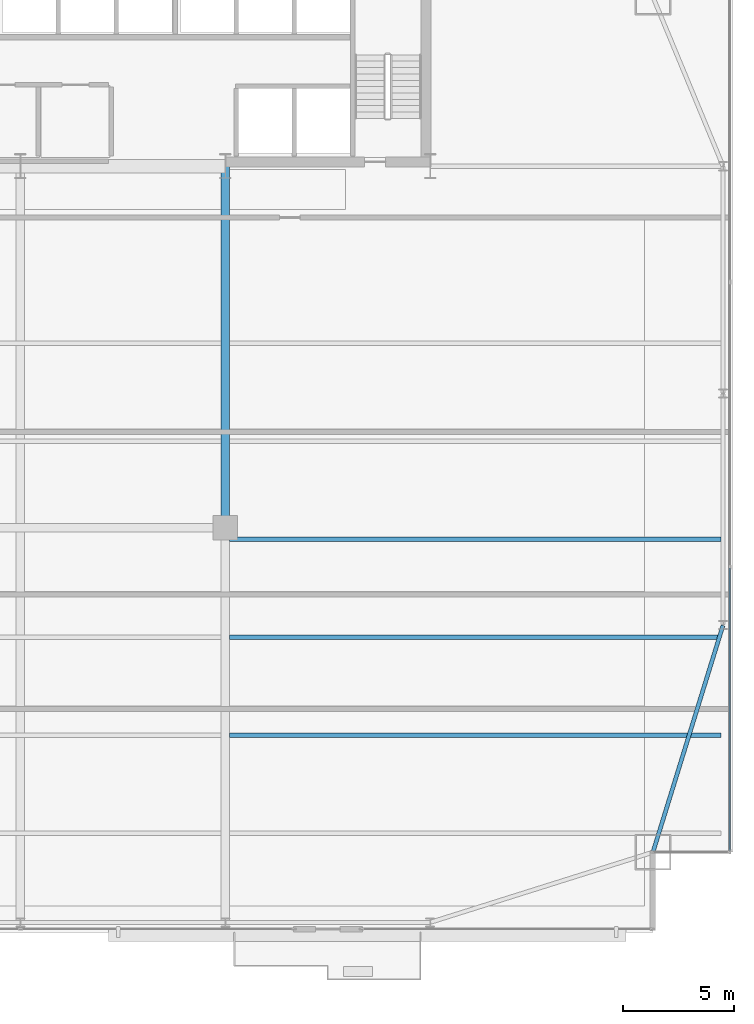
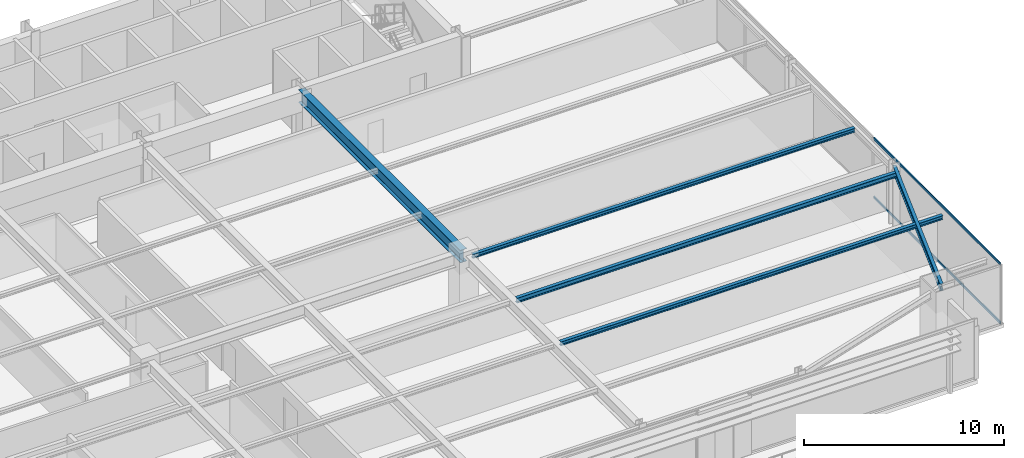
# One storey, part 15 of 29: 5 beams, 2 members, 1 element without a shape of its own.
"""IFC4 building model written with IfcOpenShell, lengths in metres."""

from ifc_helpers import new_model, si_unit, direction, frame, origin, origin_2d, place, context, subcontext, project, spatial, hollow_rectangle, i_section, extrude, source, transform, mapped, material, layer, layer_set, material_profile, profile_set, type_object, type_shapes, element, aggregate, save


model = new_model("IFC4")

# Units and contexts
model_context = context("Model", 3, precision=1e-05, world=origin(), true_north=direction((0.0, 1.0)))
body_context = subcontext(model_context, "Body", "Model", "MODEL_VIEW")
ifc_project = project(units=[si_unit("LENGTHUNIT", "METRE"), si_unit("AREAUNIT", "SQUARE_METRE"), si_unit("VOLUMEUNIT", "CUBIC_METRE"), si_unit("PLANEANGLEUNIT", "RADIAN"), si_unit("MASSUNIT", "GRAM", prefix="KILO")], contexts=[model_context])

# Site, building, storey
site_placement = place(None, origin())
site = spatial("IfcSite", under=ifc_project, at=site_placement, CompositionType="ELEMENT")
building_placement = place(site_placement, origin())
building = spatial("IfcBuilding", under=site, at=building_placement, Name="Varnel Quay Broadcast Tower", CompositionType="ELEMENT")
storey_placement = place(building_placement, frame((0.0, 0.0, 74.39990234375)))
storey = spatial("IfcBuildingStorey", under=building, at=storey_placement, Name="L17", CompositionType="ELEMENT", Elevation=74.39990234375)

# Beams
ifc_material_1 = material(Name="Structural Steel CSA G40.21 350W", Category="steel")
ifc_material_profile_1 = material_profile(ifc_material_1, i_section(OverallWidth=0.180908203125, OverallDepth=0.4169921875, WebThickness=0.010986328125, FlangeThickness=0.018310546875, FilletRadius=0.011962890625, at=origin_2d()), Name="W410X85")
ifc_profile_set_1 = profile_set([ifc_material_profile_1], Name="Structural Steel CSA G40.21 350W")
beam_type_1 = type_object("IfcBeamType", Name="Beam_W410X85", PredefinedType="SPANDREL", material=ifc_profile_set_1)
shared_shape_1 = source(origin(), body_context, "Body", "SweptSolid", [
    extrude(i_section(OverallWidth=0.180908203125, OverallDepth=0.4169921875, WebThickness=0.010986328125, FlangeThickness=0.018310546875, FilletRadius=0.011962890625, at=origin_2d()), origin(), (0.0, 0.0, 1.0), 10.635498046875),
])
type_shapes(beam_type_1, [shared_shape_1])
beam_1_placement = place(storey_placement, frame((62.406005859375, 4.819091796875, 3.441650390625), z_axis=(0.295069676324, 0.955475738108, 0.0), x_axis=(-0.955475738108, 0.295069676324, 0.0)))
element("IfcBeam", 1, at=beam_1_placement, inside=storey, type_object=beam_type_1, Name="L17 East Spandrel MC-SE-TC-E1", PredefinedType="SPANDREL", context=body_context, shape_type="MappedRepresentation", body=[
    mapped(shared_shape_1, transform((0.0, 0.0, 0.0), x_axis=(1.0, 0.0, 0.0), y_axis=(0.0, 1.0, 0.0), z_axis=(0.0, 0.0, 1.0), scale=1.0)),
])
ifc_material_profile_2 = material_profile(ifc_material_1, i_section(OverallWidth=0.381103515625, OverallDepth=0.77294921875, WebThickness=0.0166015625, FlangeThickness=0.027587890625, FilletRadius=0.01806640625, at=origin_2d()), Name="W760X257")
ifc_profile_set_2 = profile_set([ifc_material_profile_2], Name="Structural Steel CSA G40.21 350W")
beam_type_2 = type_object("IfcBeamType", Name="Girder_W760X257", PredefinedType="BEAM", material=ifc_profile_set_2)
shared_shape_2 = source(origin(), body_context, "Body", "SweptSolid", [
    extrude(i_section(OverallWidth=0.381103515625, OverallDepth=0.77294921875, WebThickness=0.0166015625, FlangeThickness=0.027587890625, FilletRadius=0.01806640625, at=origin_2d()), origin(), (0.0, 0.0, 1.0), 16.190185546875),
])
type_shapes(beam_type_2, [shared_shape_2])
beam_2_placement = place(storey_placement, frame((43.199951171875, 19.389892578125, 3.263671875), z_axis=(0.0, 1.0, 0.0), x_axis=(-1.0, 0.0, 0.0)))
element("IfcBeam", 2, at=beam_2_placement, inside=storey, type_object=beam_type_2, Name="L17 Primary Girder IC-02-CC-S4", PredefinedType="BEAM", context=body_context, shape_type="MappedRepresentation", body=[
    mapped(shared_shape_2, transform((0.0, 0.0, 0.0), x_axis=(1.0, 0.0, 0.0), y_axis=(0.0, 1.0, 0.0), z_axis=(0.0, 0.0, 1.0), scale=1.0)),
])
ifc_material_profile_3 = material_profile(ifc_material_1, i_section(OverallWidth=0.202880859375, OverallDepth=0.302978515625, WebThickness=0.007568359375, FlangeThickness=0.01318359375, FilletRadius=0.011962890625, at=origin_2d()), Name="W310X60")
ifc_profile_set_3 = profile_set([ifc_material_profile_3], Name="Structural Steel CSA G40.21 350W")
beam_type_3 = type_object("IfcBeamType", Name="Beam_W310X60", PredefinedType="JOIST", material=ifc_profile_set_3)
shared_shape_3 = source(origin(), body_context, "Body", "SweptSolid", [
    extrude(i_section(OverallWidth=0.202880859375, OverallDepth=0.302978515625, WebThickness=0.007568359375, FlangeThickness=0.01318359375, FilletRadius=0.011962890625, at=origin_2d()), origin(), (0.0, 0.0, 1.0), 22.0791015625),
])
type_shapes(beam_type_3, [shared_shape_3])
beam_3_placement = place(storey_placement, frame((43.385498046875, 14.449951171875, 3.49853515625), z_axis=(1.0, 0.0, 0.0), x_axis=(0.0, 1.0, 0.0)))
element("IfcBeam", 3, at=beam_3_placement, inside=storey, type_object=beam_type_3, Name="L17 East Floor Joist 3", PredefinedType="JOIST", context=body_context, shape_type="MappedRepresentation", body=[
    mapped(shared_shape_3, transform((0.0, 0.0, 0.0), x_axis=(1.0, 0.0, 0.0), y_axis=(0.0, 1.0, 0.0), z_axis=(0.0, 0.0, 1.0), scale=1.0)),
])
ifc_material_profile_4 = material_profile(ifc_material_1, i_section(OverallWidth=0.201904296875, OverallDepth=0.2470703125, WebThickness=0.00732421875, FlangeThickness=0.010986328125, FilletRadius=0.010986328125, at=origin_2d()), Name="W250X49")
ifc_profile_set_4 = profile_set([ifc_material_profile_4], Name="Structural Steel CSA G40.21 350W")
beam_type_4 = type_object("IfcBeamType", Name="Beam_W250X49", PredefinedType="JOIST", material=ifc_profile_set_4)
shared_shape_4 = source(origin(), body_context, "Body", "SweptSolid", [
    extrude(i_section(OverallWidth=0.201904296875, OverallDepth=0.2470703125, WebThickness=0.00732421875, FlangeThickness=0.010986328125, FilletRadius=0.010986328125, at=origin_2d()), origin(), (0.0, 0.0, 1.0), 22.0791015625),
])
type_shapes(beam_type_4, [shared_shape_4])
for number, where, z_axis, x_axis, name in (
    (4, (43.385498046875, 10.050048828125, 3.526611328125), (1.0, 0.0, 0.0), (0.0, 1.0, 0.0), "L17 East Floor Joist 2"),
    (5, (43.385498046875, 18.85009765625, 3.526611328125), (1.0, 0.0, 0.0), (0.0, 1.0, 0.0), "L17 East Floor Joist 4"),
):
    element("IfcBeam", number, at=place(storey_placement, frame(where, z_axis=z_axis, x_axis=x_axis)), inside=storey, type_object=beam_type_4, Name=name, PredefinedType="JOIST", context=body_context, shape_type="MappedRepresentation", body=[
        mapped(shared_shape_4, transform((0.0, 0.0, 0.0), x_axis=(1.0, 0.0, 0.0), y_axis=(0.0, 1.0, 0.0), z_axis=(0.0, 0.0, 1.0), scale=1.0)),
    ])

# Curtain wall, members
ifc_material_2 = material(Name="Anodised Bronze Aluminium 6063-T6", Category="aluminium")
ifc_layer = layer(ifc_material_2, 0.18994140625, Name="Anodised Bronze Aluminium 6063-T6")
ifc_layer_set = layer_set([ifc_layer], Name="Anodised Bronze Aluminium 6063-T6")
curtain_wall_type = type_object("IfcCurtainWallType", Name="CW_LowerTower", PredefinedType="NOTDEFINED", material=ifc_layer_set)
curtain_wall_placement = place(storey_placement, origin())
curtain_wall = element("IfcCurtainWall", 6, at=curtain_wall_placement, inside=storey, type_object=curtain_wall_type, Name="L17 East Unitised Curtain Wall", PredefinedType="NOTDEFINED")
ifc_material_profile_5 = material_profile(ifc_material_2, hollow_rectangle(XDim=0.06005859375, YDim=0.14501953125, WallThickness=0.00341796875, at=origin_2d()), Name="ALU60X145X3.5")
ifc_profile_set_5 = profile_set([ifc_material_profile_5], Name="Anodised Bronze Aluminium 6063-T6")
member_type = type_object("IfcMemberType", Name="Tran_CWS-02", PredefinedType="USERDEFINED", material=ifc_profile_set_5)
shared_shape_5 = source(origin(), body_context, "Body", "SweptSolid", [
    extrude(hollow_rectangle(XDim=0.06005859375, YDim=0.14501953125, WallThickness=0.00341796875, at=origin_2d()), origin(), (0.0, 0.0, 1.0), 12.69482421875),
])
type_shapes(member_type, [shared_shape_5])
member_1_placement = place(storey_placement, frame((65.85009765625, 4.8701171875, 0.030029296875), z_axis=(0.0, 1.0, 0.0), x_axis=(-1.0, 0.0, 0.0)))
member_1 = element("IfcMember", 7, at=member_1_placement, type_object=member_type, Name="CWS-02 transom 1.1", ObjectType="TRANSOM", PredefinedType="USERDEFINED", context=body_context, shape_type="MappedRepresentation", body=[
    mapped(shared_shape_5, transform((0.0, 0.0, 0.0), x_axis=(1.0, 0.0, 0.0), y_axis=(0.0, 1.0, 0.0), z_axis=(0.0, 0.0, 1.0), scale=1.0)),
])
member_2_placement = place(storey_placement, frame((65.85009765625, 4.8701171875, 3.6201171875), z_axis=(0.0, 1.0, 0.0), x_axis=(-1.0, 0.0, 0.0)))
member_2 = element("IfcMember", 8, at=member_2_placement, type_object=member_type, Name="CWS-02 transom 1.2", ObjectType="TRANSOM", PredefinedType="USERDEFINED", context=body_context, shape_type="MappedRepresentation", body=[
    mapped(shared_shape_5, transform((0.0, 0.0, 0.0), x_axis=(1.0, 0.0, 0.0), y_axis=(0.0, 1.0, 0.0), z_axis=(0.0, 0.0, 1.0), scale=1.0)),
])
aggregate(curtain_wall, [member_1, member_2])

save(model, "model.ifc")
